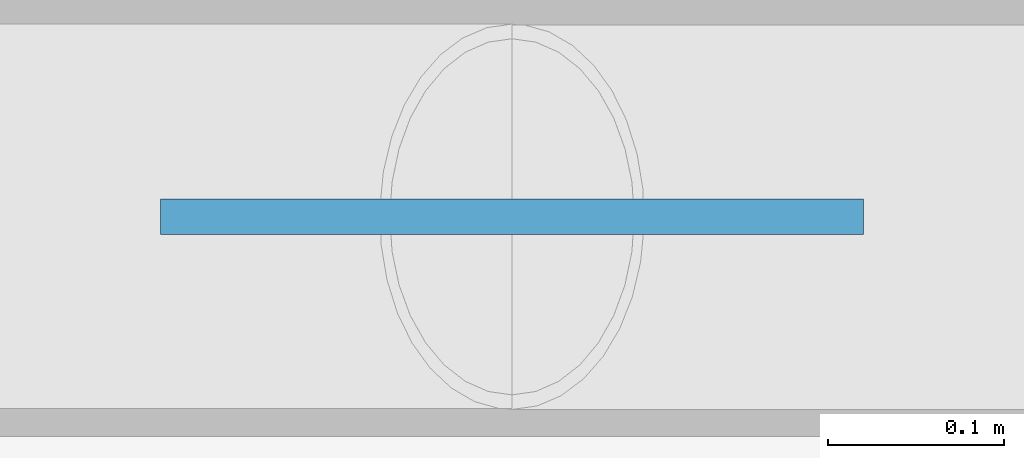
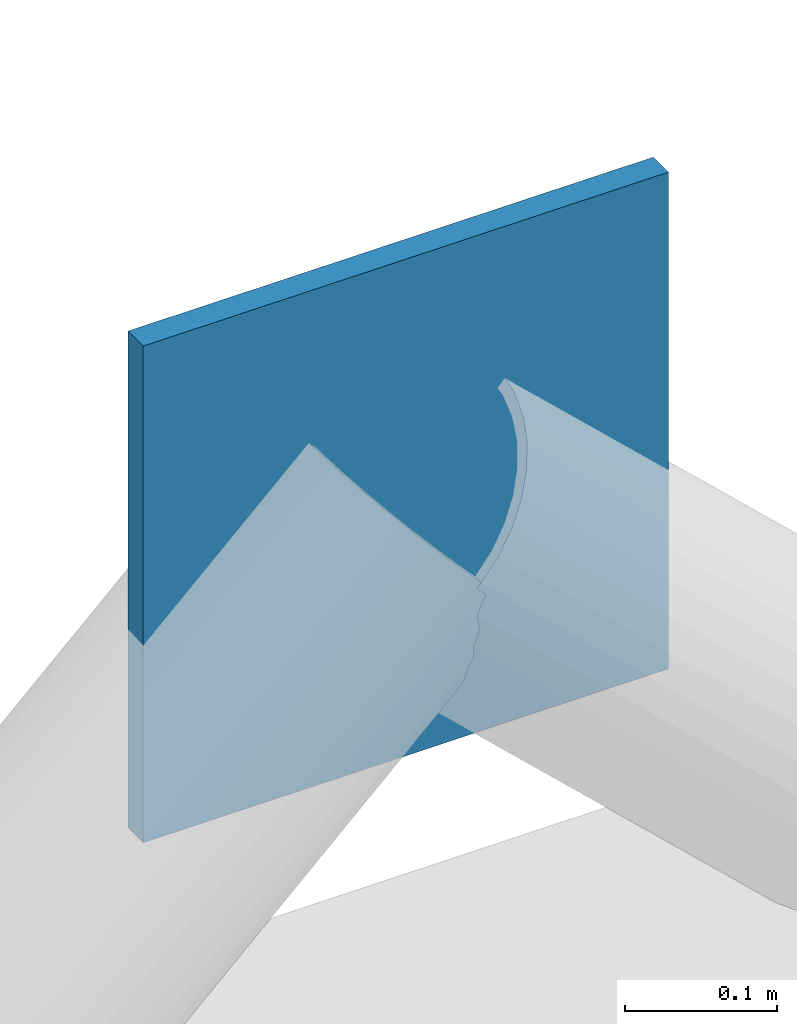
# One storey, part 42 of 66: 1 plate.
"""IFC4 building model written with IfcOpenShell, lengths in metres."""

from ifc_helpers import new_model, si_unit, direction, frame, origin, origin_2d, place, context, subcontext, project, spatial, rectangle, extrude, material, layer, layer_set, type_object, element, save


model = new_model("IFC4")

# Units and contexts
model_context = context("Model", 3, precision=1e-05, world=origin(), true_north=direction((0.0, 1.0)))
body_context = subcontext(model_context, "Body", "Model", "MODEL_VIEW")
ifc_project = project(units=[si_unit("LENGTHUNIT", "METRE"), si_unit("AREAUNIT", "SQUARE_METRE"), si_unit("VOLUMEUNIT", "CUBIC_METRE"), si_unit("PLANEANGLEUNIT", "RADIAN"), si_unit("MASSUNIT", "GRAM", prefix="KILO"), si_unit("THERMODYNAMICTEMPERATUREUNIT", "KELVIN"), si_unit("POWERUNIT", "WATT")], contexts=[model_context])

# Site, building, storey
site_placement = place(None, origin())
site = spatial("IfcSite", under=ifc_project, at=site_placement, CompositionType="ELEMENT")
building_placement = place(site_placement, origin())
building = spatial("IfcBuilding", under=site, at=building_placement, Name="Tallowbark Science Centre", CompositionType="ELEMENT")
storey_placement = place(building_placement, frame((0.0, 0.0, 18.89990234375)))
storey = spatial("IfcBuildingStorey", under=building, at=storey_placement, Name="L04", CompositionType="ELEMENT", Elevation=18.89990234375)

# Plate
ifc_material = material(Name="Structural Steel Grade 300PLUS (300 MPa)", Category="steel")
ifc_layer = layer(ifc_material, 0.02001953125)
ifc_layer_set = layer_set([ifc_layer], Name="Structural Steel Grade 300PLUS (300 MPa)")
plate_type = type_object("IfcPlateType", Name="PLT-GUS-20", PredefinedType="SHEET", material=ifc_layer_set)
plate_placement = place(storey_placement, frame((126.0, 108.0, 4.050048828125), z_axis=(0.0, 0.0, 1.0), x_axis=(1.0, 0.0, 0.0)))
element("IfcPlate", 1, at=plate_placement, inside=storey, type_object=plate_type, Name="Chevron Brace Apex Gusset CBF-OBS-N1 L04", PredefinedType="SHEET", context=body_context, shape_type="SweptSolid", body=[
    extrude(rectangle(XDim=0.39990234375, YDim=0.02001953125, at=origin_2d()), origin(), (0.0, 0.0, 1.0), 0.39990234375),
])

save(model, "model.ifc")
